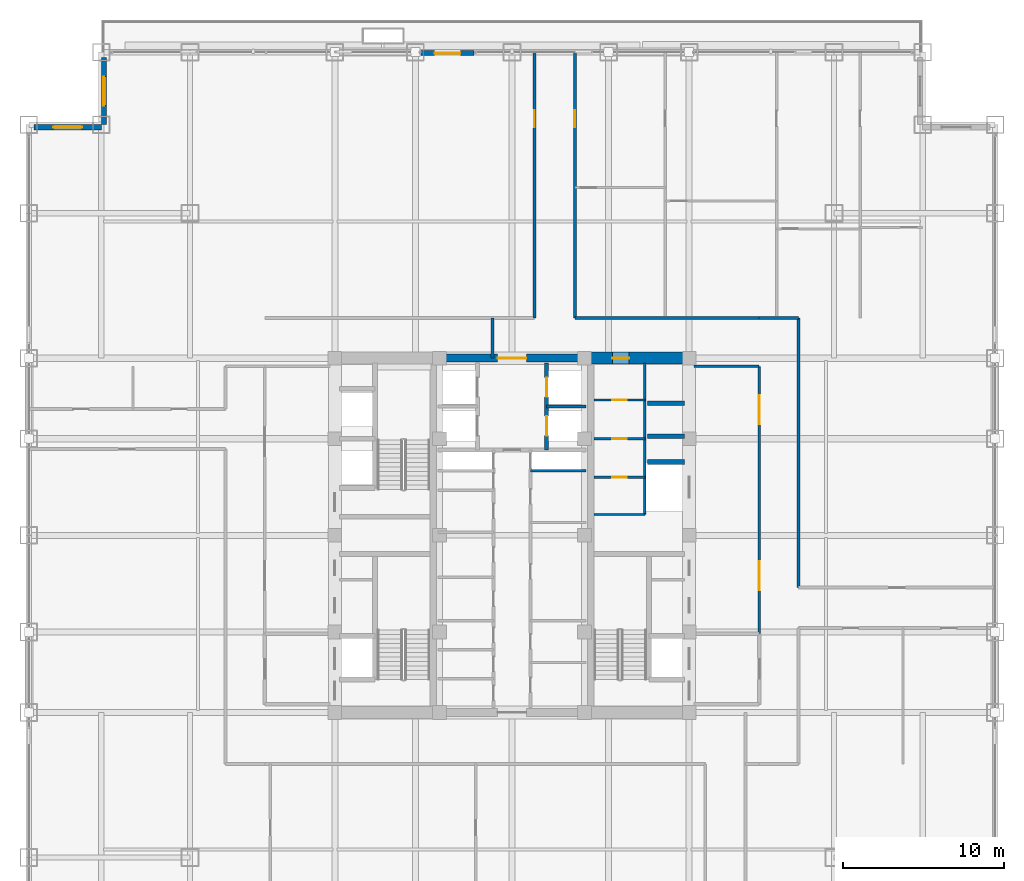
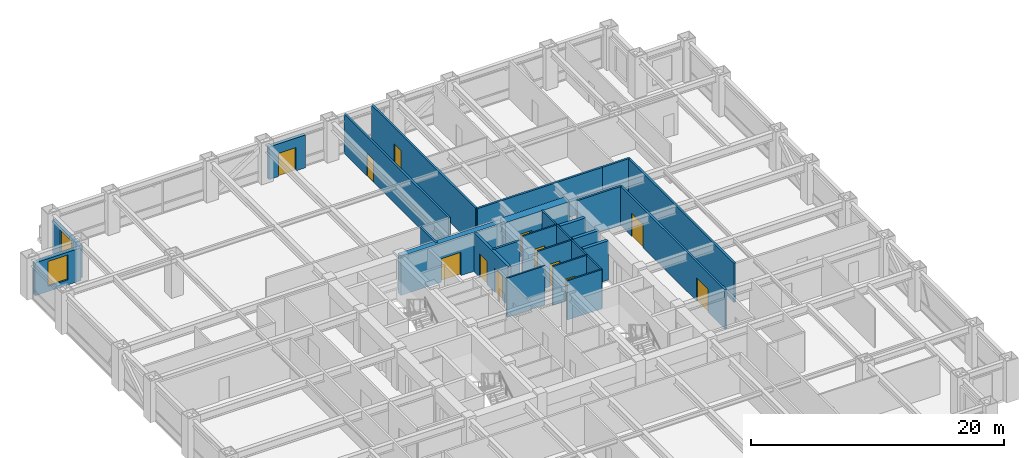
# One storey, part 29 of 35: 24 walls, 12 doors, 2 windows, 14 openings.
"""IFC4 building model written with IfcOpenShell, lengths in metres."""

from ifc_helpers import new_model, si_unit, direction, frame, frame_2d, origin, place, context, subcontext, project, spatial, rectangle, extrude, source, transform, mapped, material, layer, layer_set, type_object, element, fill, save


model = new_model("IFC4")

# Units and contexts
model_context = context("Model", 3, precision=1e-05, world=origin(), true_north=direction((0.0, 1.0)))
body_context = subcontext(model_context, "Body", "Model", "MODEL_VIEW")
ifc_project = project(units=[si_unit("LENGTHUNIT", "METRE"), si_unit("AREAUNIT", "SQUARE_METRE"), si_unit("VOLUMEUNIT", "CUBIC_METRE"), si_unit("PLANEANGLEUNIT", "RADIAN"), si_unit("MASSUNIT", "GRAM", prefix="KILO")], contexts=[model_context])

# Site, building, storey
site_placement = place(None, origin())
site = spatial("IfcSite", under=ifc_project, at=site_placement, CompositionType="ELEMENT")
building_placement = place(site_placement, origin())
building = spatial("IfcBuilding", under=site, at=building_placement, Name="Khorayat Bourse Tower", CompositionType="ELEMENT")
storey_placement = place(building_placement, frame((0.0, 0.0, 155.10009765625)))
storey = spatial("IfcBuildingStorey", under=building, at=storey_placement, Name="L35", CompositionType="ELEMENT", Elevation=155.10009765625)

# Wall, opening, door
ifc_material_1 = material(Name="Concrete C72/90", Category="concrete")
ifc_layer_1 = layer(ifc_material_1, 0.75)
ifc_layer_set_1 = layer_set([ifc_layer_1], Name="Concrete C72/90")
wall_type_1 = type_object("IfcWallType", Name="WAL-CORE-750", PredefinedType="SHEAR", material=ifc_layer_set_1)
shared_shape_1 = source(origin(), body_context, "Body", "SweptSolid", [
    extrude(rectangle(XDim=5.849853515625, YDim=0.75, at=frame_2d((2.9248046875, 0.0))), origin(), (0.0, 0.0, 1.0), 3.77978515625),
])
wall_1_placement = place(storey_placement, frame((4.85009765625, 11.0, 0.0), z_axis=(0.0, 0.0, 1.0), x_axis=(1.0, 0.0, 0.0)))
wall_1 = element("IfcWall", 1, at=wall_1_placement, inside=storey, type_object=wall_type_1, Name="L35 Core Shear Wall PIER-EN", PredefinedType="SHEAR", context=body_context, shape_type="MappedRepresentation", body=[
    mapped(shared_shape_1, transform((0.0, 0.0, 0.0), scale=1.0)),
])
shared_shape_2 = source(origin(), body_context, "Body", "SweptSolid", [
    extrude(rectangle(XDim=1.050048828125, YDim=2.199951171875, at=frame_2d((0.52490234375, 1.10009765625))), frame((0.0, 0.385009765625, 0.0), z_axis=(0.0, -1.0, 0.0), x_axis=(1.0, 0.0, 0.0)), (0.0, 0.0, 1.0), 0.77001953125),
])
opening_1_placement = place(wall_1_placement, frame((1.375, 0.0, 0.0)))
opening_1 = element("IfcOpeningElement", 2, at=opening_1_placement, cuts=wall_1, Name="Opening DI-04", PredefinedType="OPENING", context=body_context, shape_type="MappedRepresentation", body=[
    mapped(shared_shape_2, transform((0.0, 0.0, 0.0), scale=1.0)),
])
ifc_material_2 = material(Name="Fire-rated oak veneer suite entrance door")
door_type_1 = type_object("IfcDoorType", Name="DR-INT-SUITE-1050", OperationType="NOTDEFINED", PredefinedType="DOOR", material=ifc_material_2)
shared_shape_3 = source(origin(), body_context, "Body", "SweptSolid", [
    extrude(rectangle(XDim=1.050048828125, YDim=2.199951171875, at=frame_2d((0.52490234375, 1.10009765625))), frame((0.0, 0.02490234375, 0.0), z_axis=(0.0, -1.0, 0.0), x_axis=(1.0, 0.0, 0.0)), (0.0, 0.0, 1.0), 0.050048828125),
])
door_1_placement = place(opening_1_placement, origin())
door_1 = element("IfcDoor", 3, at=door_1_placement, inside=storey, type_object=door_type_1, Name="L35 Core Washroom Lobby Door", OperationType="SINGLE_SWING_LEFT", OverallHeight=2.199951171875, OverallWidth=1.050048828125, PredefinedType="DOOR", context=body_context, shape_type="MappedRepresentation", body=[
    mapped(shared_shape_3, transform((0.0, 0.0, 0.0), scale=1.0)),
])
fill(opening_1, door_1)

ifc_material_3 = material(Name="Concrete C52/65", Category="concrete")
ifc_layer_2 = layer(ifc_material_3, 0.5)
ifc_layer_set_2 = layer_set([ifc_layer_2], Name="Concrete C52/65")
wall_type_2 = type_object("IfcWallType", Name="WAL-CORE-500", PredefinedType="SHEAR", material=ifc_layer_set_2)
shared_shape_4 = source(origin(), body_context, "Body", "SweptSolid", [
    extrude(rectangle(XDim=9.2001953125, YDim=0.5, at=frame_2d((4.60009765625, 0.0))), origin(), (0.0, 0.0, 1.0), 3.77978515625),
])
wall_2_placement = place(storey_placement, frame((-4.60009765625, 11.0, 0.0), z_axis=(0.0, 0.0, 1.0), x_axis=(1.0, 0.0, 0.0)))
wall_2 = element("IfcWall", 4, at=wall_2_placement, inside=storey, type_object=wall_type_2, Name="L35 Core Shear Wall CORE-N", PredefinedType="SHEAR", context=body_context, shape_type="MappedRepresentation", body=[
    mapped(shared_shape_4, transform((0.0, 0.0, 0.0), scale=1.0)),
])
shared_shape_5 = source(origin(), body_context, "Body", "SweptSolid", [
    extrude(rectangle(XDim=1.800048828125, YDim=2.25, at=frame_2d((0.89990234375, 1.125))), frame((0.0, 0.260009765625, 0.0), z_axis=(0.0, -1.0, 0.0), x_axis=(1.0, 0.0, 0.0)), (0.0, 0.0, 1.0), 0.52001953125),
])
opening_2_placement = place(wall_2_placement, frame((3.699951171875, 0.0, 0.0)))
opening_2 = element("IfcOpeningElement", 5, at=opening_2_placement, cuts=wall_2, Name="Opening DI-03", PredefinedType="OPENING", context=body_context, shape_type="MappedRepresentation", body=[
    mapped(shared_shape_5, transform((0.0, 0.0, 0.0), scale=1.0)),
])
ifc_material_4 = material(Name="Fire-rated hardwood vision-panel double leaf", Category="wood")
door_type_2 = type_object("IfcDoorType", Name="DR-INT-CORR-1800", OperationType="NOTDEFINED", PredefinedType="DOOR", material=ifc_material_4)
shared_shape_6 = source(origin(), body_context, "Body", "SweptSolid", [
    extrude(rectangle(XDim=1.800048828125, YDim=2.25, at=frame_2d((0.89990234375, 1.125))), frame((0.0, 0.02490234375, 0.0), z_axis=(0.0, -1.0, 0.0), x_axis=(1.0, 0.0, 0.0)), (0.0, 0.0, 1.0), 0.050048828125),
])
door_2_placement = place(opening_2_placement, origin())
door_2 = element("IfcDoor", 6, at=door_2_placement, inside=storey, type_object=door_type_2, Name="L35 Mid-Rise Lift Lobby Door", OperationType="SINGLE_SWING_RIGHT", OverallHeight=2.25, OverallWidth=1.800048828125, PredefinedType="DOOR", context=body_context, shape_type="MappedRepresentation", body=[
    mapped(shared_shape_6, transform((0.0, 0.0, 0.0), scale=1.0)),
])
fill(opening_2, door_2)

# Wall, opening, window
ifc_material_5 = material(Name="Precast concrete C45/55", Category="concrete")
ifc_layer_3 = layer(ifc_material_5, 0.320068359375)
ifc_layer_set_3 = layer_set([ifc_layer_3], Name="Precast concrete C45/55")
wall_type_3 = type_object("IfcWallType", Name="WAL-EXT-STONE-320", PredefinedType="STANDARD", material=ifc_layer_set_3)
shared_shape_7 = source(origin(), body_context, "Body", "SweptSolid", [
    extrude(rectangle(XDim=4.179931640625, YDim=0.320068359375, at=frame_2d((2.08984375, 0.0))), origin(), (0.0, 0.0, 1.0), 3.163818359375),
])
wall_3_placement = place(storey_placement, frame((-25.340087890625, 25.5, 0.0), z_axis=(0.0, 0.0, 1.0), x_axis=(0.0, 1.0, 0.0)))
wall_3 = element("IfcWall", 7, at=wall_3_placement, inside=storey, type_object=wall_type_3, Name="L35 Re-Entrant Notch Limestone Wall NW-V", PredefinedType="STANDARD", context=body_context, shape_type="MappedRepresentation", body=[
    mapped(shared_shape_7, transform((0.0, 0.0, 0.0), scale=1.0)),
])
shared_shape_8 = source(origin(), body_context, "Body", "SweptSolid", [
    extrude(rectangle(XDim=1.800048828125, YDim=2.39990234375, at=frame_2d((0.89990234375, 1.199951171875))), frame((0.0, 0.169921875, 0.0), z_axis=(0.0, -1.0, 0.0), x_axis=(1.0, 0.0, 0.0)), (0.0, 0.0, 1.0), 0.340087890625),
])
opening_3_placement = place(wall_3_placement, frame((1.18994140625, 0.0, 0.5)))
opening_3 = element("IfcOpeningElement", 8, at=opening_3_placement, cuts=wall_3, Name="Opening WN-04", PredefinedType="OPENING", context=body_context, shape_type="MappedRepresentation", body=[
    mapped(shared_shape_8, transform((0.0, 0.0, 0.0), scale=1.0)),
])
ifc_material_6 = material(Name="Low-E acoustic laminated double glazing", Category="glass")
window_type = type_object("IfcWindowType", Name="WIN-NOTCH-1800x2400", PartitioningType="SINGLE_PANEL", PredefinedType="WINDOW", material=ifc_material_6)
shared_shape_9 = source(origin(), body_context, "Body", "SweptSolid", [
    extrude(rectangle(XDim=1.800048828125, YDim=2.39990234375, at=frame_2d((0.89990234375, 1.199951171875))), frame((0.0, 0.030029296875, 0.0), z_axis=(0.0, -1.0, 0.0), x_axis=(1.0, 0.0, 0.0)), (0.0, 0.0, 1.0), 0.06005859375),
])
window_1_placement = place(opening_3_placement, origin())
window_1 = element("IfcWindow", 9, at=window_1_placement, inside=storey, type_object=window_type, Name="L35 Facade Window 1", OverallHeight=2.39990234375, OverallWidth=1.800048828125, PartitioningType="SINGLE_PANEL", PredefinedType="WINDOW", context=body_context, shape_type="MappedRepresentation", body=[
    mapped(shared_shape_9, transform((0.0, 0.0, 0.0), scale=1.0)),
])
fill(opening_3, window_1)

wall_4_placement = place(storey_placement, frame((-25.5, 25.340087890625, 0.0), z_axis=(0.0, 0.0, 1.0), x_axis=(-1.0, 0.0, 0.0)))
wall_4 = element("IfcWall", 10, at=wall_4_placement, inside=storey, type_object=wall_type_3, Name="L35 Re-Entrant Notch Limestone Wall NW-H", PredefinedType="STANDARD", context=body_context, shape_type="MappedRepresentation", body=[
    mapped(shared_shape_7, transform((0.0, 0.0, 0.0), scale=1.0)),
])
opening_4_placement = place(wall_4_placement, frame((1.18994140625, 0.0, 0.5)))
opening_4 = element("IfcOpeningElement", 11, at=opening_4_placement, cuts=wall_4, Name="Opening WN-04", PredefinedType="OPENING", context=body_context, shape_type="MappedRepresentation", body=[
    mapped(shared_shape_8, transform((0.0, 0.0, 0.0), scale=1.0)),
])
window_2_placement = place(opening_4_placement, origin())
window_2 = element("IfcWindow", 12, at=window_2_placement, inside=storey, type_object=window_type, Name="L35 Facade Window 1", OverallHeight=2.39990234375, OverallWidth=1.800048828125, PartitioningType="SINGLE_PANEL", PredefinedType="WINDOW", context=body_context, shape_type="MappedRepresentation", body=[
    mapped(shared_shape_9, transform((0.0, 0.0, 0.0), scale=1.0)),
])
fill(opening_4, window_2)

# Wall, opening, door
shared_shape_10 = source(origin(), body_context, "Body", "SweptSolid", [
    extrude(rectangle(XDim=3.2998046875, YDim=0.320068359375, at=frame_2d((1.64990234375, 0.0))), origin(), (0.0, 0.0, 1.0), 3.163818359375),
])
wall_5_placement = place(storey_placement, frame((-5.64990234375, 29.9423828125, 0.0), z_axis=(0.0, 0.0, 1.0), x_axis=(1.0, 0.0, 0.0)))
wall_5 = element("IfcWall", 13, at=wall_5_placement, inside=storey, type_object=wall_type_3, Name="L35 Exterior Limestone Wall WAL-L35-TDPORT-N1", PredefinedType="STANDARD", context=body_context, shape_type="MappedRepresentation", body=[
    mapped(shared_shape_10, transform((0.0, 0.0, 0.0), scale=1.0)),
])
shared_shape_11 = source(origin(), body_context, "Body", "SweptSolid", [
    extrude(rectangle(XDim=1.60009765625, YDim=2.25, at=frame_2d((0.800048828125, 1.125))), frame((0.0, 0.169921875, 0.0), z_axis=(0.0, -1.0, 0.0), x_axis=(1.0, 0.0, 0.0)), (0.0, 0.0, 1.0), 0.340087890625),
])
opening_5_placement = place(wall_5_placement, frame((0.85009765625, 0.0, 0.0)))
opening_5 = element("IfcOpeningElement", 14, at=opening_5_placement, cuts=wall_5, Name="Opening DE-04", PredefinedType="OPENING", context=body_context, shape_type="MappedRepresentation", body=[
    mapped(shared_shape_11, transform((0.0, 0.0, 0.0), scale=1.0)),
])
ifc_material_7 = material(Name="Thermally broken aluminium terrace double door", Category="aluminium")
door_type_3 = type_object("IfcDoorType", Name="DR-EXT-TERR-1600", OperationType="NOTDEFINED", PredefinedType="DOOR", material=ifc_material_7)
shared_shape_12 = source(origin(), body_context, "Body", "SweptSolid", [
    extrude(rectangle(XDim=1.60009765625, YDim=2.25, at=frame_2d((0.800048828125, 1.125))), frame((0.0, 0.02490234375, 0.0), z_axis=(0.0, -1.0, 0.0), x_axis=(1.0, 0.0, 0.0)), (0.0, 0.0, 1.0), 0.050048828125),
])
door_3_placement = place(opening_5_placement, origin())
door_3 = element("IfcDoor", 15, at=door_3_placement, inside=storey, type_object=door_type_3, Name="L35 North Setback Terrace Door", OperationType="DOUBLE_DOOR_SINGLE_SWING", OverallHeight=2.25, OverallWidth=1.60009765625, PredefinedType="DOOR", context=body_context, shape_type="MappedRepresentation", body=[
    mapped(shared_shape_12, transform((0.0, 0.0, 0.0), scale=1.0)),
])
fill(opening_5, door_3)

# Walls
ifc_material_8 = material(Name="Concrete C50/60", Category="concrete")
ifc_layer_4 = layer(ifc_material_8, 0.300048828125)
ifc_layer_set_4 = layer_set([ifc_layer_4], Name="Concrete C50/60")
wall_type_4 = type_object("IfcWallType", Name="WAL-SHAFT-300", PredefinedType="SHEAR", material=ifc_layer_set_4)
shared_shape_13 = source(origin(), body_context, "Body", "SweptSolid", [
    extrude(rectangle(XDim=2.300048828125, YDim=0.300048828125, at=frame_2d((1.14990234375, 0.0))), origin(), (0.0, 0.0, 1.0), 3.77978515625),
])
for number, where, z_axis, x_axis, name in (
    (16, (8.39990234375, 4.550048828125, 0.0), (0.0, 0.0, 1.0), (1.0, 0.0, 0.0), "L35 Partition WAL-L35-EPIER-SVLN"),
    (17, (8.39990234375, 6.14990234375, 0.0), (0.0, 0.0, 1.0), (1.0, 0.0, 0.0), "L35 Partition WAL-L35-EPIER-H3S"),
    (18, (8.39990234375, 8.199951171875, 0.0), (0.0, 0.0, 1.0), (1.0, 0.0, 0.0), "L35 Partition WAL-L35-EPIER-H34"),
):
    element("IfcWall", number, at=place(storey_placement, frame(where, z_axis=z_axis, x_axis=x_axis)), inside=storey, type_object=wall_type_4, Name=name, PredefinedType="SHEAR", context=body_context, shape_type="MappedRepresentation", body=[
        mapped(shared_shape_13, transform((0.0, 0.0, 0.0), scale=1.0)),
    ])
ifc_material_9 = material(Name="Moisture-resistant masonry partition", Category="masonry")
ifc_layer_5 = layer(ifc_material_9, 0.139892578125)
ifc_layer_set_5 = layer_set([ifc_layer_5], Name="Moisture-resistant masonry partition")
wall_type_5 = type_object("IfcWallType", Name="WAL-PART-WET-140", PredefinedType="PARTITIONING", material=ifc_layer_set_5)
shared_shape_14 = source(origin(), body_context, "Body", "SweptSolid", [
    extrude(rectangle(XDim=9.39990234375, YDim=0.139892578125, at=frame_2d((4.699951171875, 0.0))), origin(), (0.0, 0.0, 1.0), 3.77978515625),
])
wall_6_placement = place(storey_placement, frame((8.25, 1.300048828125, 0.0), z_axis=(0.0, 0.0, 1.0), x_axis=(0.0, 1.0, 0.0)))
element("IfcWall", 19, at=wall_6_placement, inside=storey, type_object=wall_type_5, Name="L35 Partition WAL-L35-ECORE-E", PredefinedType="PARTITIONING", context=body_context, shape_type="MappedRepresentation", body=[
    mapped(shared_shape_14, transform((0.0, 0.0, 0.0), scale=1.0)),
])
shared_shape_15 = source(origin(), body_context, "Body", "SweptSolid", [
    extrude(rectangle(XDim=3.14990234375, YDim=0.139892578125, at=frame_2d((1.574951171875, 0.0))), origin(), (0.0, 0.0, 1.0), 3.77978515625),
])
wall_7_placement = place(storey_placement, frame((5.10009765625, 1.300048828125, 0.0), z_axis=(0.0, 0.0, 1.0), x_axis=(1.0, 0.0, 0.0)))
element("IfcWall", 20, at=wall_7_placement, inside=storey, type_object=wall_type_5, Name="L35 Partition WAL-L35-ECORE-S", PredefinedType="PARTITIONING", context=body_context, shape_type="MappedRepresentation", body=[
    mapped(shared_shape_15, transform((0.0, 0.0, 0.0), scale=1.0)),
])

# Wall, opening, door
wall_8_placement = place(storey_placement, frame((5.10009765625, 8.39990234375, 0.0), z_axis=(0.0, 0.0, 1.0), x_axis=(1.0, 0.0, 0.0)))
wall_8 = element("IfcWall", 21, at=wall_8_placement, inside=storey, type_object=wall_type_5, Name="L35 Partition WAL-L35-ECW-TOP", PredefinedType="PARTITIONING", context=body_context, shape_type="MappedRepresentation", body=[
    mapped(shared_shape_15, transform((0.0, 0.0, 0.0), scale=1.0)),
])
shared_shape_16 = source(origin(), body_context, "Body", "SweptSolid", [
    extrude(rectangle(XDim=0.89990234375, YDim=2.14990234375, at=frame_2d((0.449951171875, 1.074951171875))), frame((0.0, 0.079833984375, 0.0), z_axis=(0.0, -1.0, 0.0), x_axis=(1.0, 0.0, 0.0)), (0.0, 0.0, 1.0), 0.159912109375),
])
opening_6_placement = place(wall_8_placement, frame((1.1298828125, 0.0, 0.0)))
opening_6 = element("IfcOpeningElement", 22, at=opening_6_placement, cuts=wall_8, Name="Opening DI-06", PredefinedType="OPENING", context=body_context, shape_type="MappedRepresentation", body=[
    mapped(shared_shape_16, transform((0.0, 0.0, 0.0), scale=1.0)),
])
ifc_material_10 = material(Name="Moisture-resistant laminate washroom door")
door_type_4 = type_object("IfcDoorType", Name="DR-INT-WC-900", OperationType="NOTDEFINED", PredefinedType="DOOR", material=ifc_material_10)
shared_shape_17 = source(origin(), body_context, "Body", "SweptSolid", [
    extrude(rectangle(XDim=0.89990234375, YDim=2.14990234375, at=frame_2d((0.449951171875, 1.074951171875))), frame((0.0, 0.02490234375, 0.0), z_axis=(0.0, -1.0, 0.0), x_axis=(1.0, 0.0, 0.0)), (0.0, 0.0, 1.0), 0.050048828125),
])
door_4_placement = place(opening_6_placement, origin())
door_4 = element("IfcDoor", 23, at=door_4_placement, inside=storey, type_object=door_type_4, Name="L35 Accessible WC Door", OperationType="SINGLE_SWING_LEFT", OverallHeight=2.14990234375, OverallWidth=0.89990234375, PredefinedType="DOOR", context=body_context, shape_type="MappedRepresentation", body=[
    mapped(shared_shape_17, transform((0.0, 0.0, 0.0), scale=1.0)),
])
fill(opening_6, door_4)

wall_9_placement = place(storey_placement, frame((5.10009765625, 6.0, 0.0), z_axis=(0.0, 0.0, 1.0), x_axis=(1.0, 0.0, 0.0)))
wall_9 = element("IfcWall", 24, at=wall_9_placement, inside=storey, type_object=wall_type_5, Name="L35 Partition WAL-L35-ECW-H1", PredefinedType="PARTITIONING", context=body_context, shape_type="MappedRepresentation", body=[
    mapped(shared_shape_15, transform((0.0, 0.0, 0.0), scale=1.0)),
])
opening_7_placement = place(wall_9_placement, frame((1.1298828125, 0.0, 0.0)))
opening_7 = element("IfcOpeningElement", 25, at=opening_7_placement, cuts=wall_9, Name="Opening DI-06", PredefinedType="OPENING", context=body_context, shape_type="MappedRepresentation", body=[
    mapped(shared_shape_16, transform((0.0, 0.0, 0.0), scale=1.0)),
])
door_5_placement = place(opening_7_placement, origin())
door_5 = element("IfcDoor", 26, at=door_5_placement, inside=storey, type_object=door_type_4, Name="L35 Shared Washroom Door", OperationType="SINGLE_SWING_RIGHT", OverallHeight=2.14990234375, OverallWidth=0.89990234375, PredefinedType="DOOR", context=body_context, shape_type="MappedRepresentation", body=[
    mapped(shared_shape_17, transform((0.0, 0.0, 0.0), scale=1.0)),
])
fill(opening_7, door_5)

wall_10_placement = place(storey_placement, frame((5.10009765625, 3.60009765625, 0.0), z_axis=(0.0, 0.0, 1.0), x_axis=(1.0, 0.0, 0.0)))
wall_10 = element("IfcWall", 27, at=wall_10_placement, inside=storey, type_object=wall_type_5, Name="L35 Partition WAL-L35-ECW-H2", PredefinedType="PARTITIONING", context=body_context, shape_type="MappedRepresentation", body=[
    mapped(shared_shape_15, transform((0.0, 0.0, 0.0), scale=1.0)),
])
opening_8_placement = place(wall_10_placement, frame((1.1298828125, 0.0, 0.0)))
opening_8 = element("IfcOpeningElement", 28, at=opening_8_placement, cuts=wall_10, Name="Opening DI-06", PredefinedType="OPENING", context=body_context, shape_type="MappedRepresentation", body=[
    mapped(shared_shape_16, transform((0.0, 0.0, 0.0), scale=1.0)),
])
door_6_placement = place(opening_8_placement, origin())
door_6 = element("IfcDoor", 29, at=door_6_placement, inside=storey, type_object=door_type_4, Name="L35 Staff Washroom Door", OperationType="SINGLE_SWING_LEFT", OverallHeight=2.14990234375, OverallWidth=0.89990234375, PredefinedType="DOOR", context=body_context, shape_type="MappedRepresentation", body=[
    mapped(shared_shape_17, transform((0.0, 0.0, 0.0), scale=1.0)),
])
fill(opening_8, door_6)

# Wall
ifc_material_11 = material(Name="Gypsum plasterboard acoustic stud wall")
ifc_layer_6 = layer(ifc_material_11, 0.179931640625)
ifc_layer_set_6 = layer_set([ifc_layer_6], Name="Gypsum plasterboard acoustic stud wall")
wall_type_6 = type_object("IfcWallType", Name="WAL-PART-CORR-180", PredefinedType="PARTITIONING", material=ifc_layer_set_6)
shared_shape_18 = source(origin(), body_context, "Body", "SweptSolid", [
    extrude(rectangle(XDim=4.050048828125, YDim=0.179931640625, at=frame_2d((2.02490234375, 0.0))), origin(), (0.0, 0.0, 1.0), 3.77978515625),
])
wall_11_placement = place(storey_placement, frame((11.300048828125, 10.5, 0.0), z_axis=(0.0, 0.0, 1.0), x_axis=(1.0, 0.0, 0.0)))
element("IfcWall", 30, at=wall_11_placement, inside=storey, type_object=wall_type_6, Name="L35 Partition WAL-L35-ELOB-N", PredefinedType="PARTITIONING", context=body_context, shape_type="MappedRepresentation", body=[
    mapped(shared_shape_18, transform((0.0, 0.0, 0.0), scale=1.0)),
])

# Wall, openings, doors
shared_shape_19 = source(origin(), body_context, "Body", "SweptSolid", [
    extrude(rectangle(XDim=16.60009765625, YDim=0.179931640625, at=frame_2d((8.300048828125, 0.0))), origin(), (0.0, 0.0, 1.0), 3.77978515625),
])
wall_12_placement = place(storey_placement, frame((15.35009765625, -6.10009765625, 0.0), z_axis=(0.0, 0.0, 1.0), x_axis=(0.0, 1.0, 0.0)))
wall_12 = element("IfcWall", 31, at=wall_12_placement, inside=storey, type_object=wall_type_6, Name="L35 Partition WAL-L35-ELOB-E", PredefinedType="PARTITIONING", context=body_context, shape_type="MappedRepresentation", body=[
    mapped(shared_shape_19, transform((0.0, 0.0, 0.0), scale=1.0)),
])
shared_shape_20 = source(origin(), body_context, "Body", "SweptSolid", [
    extrude(rectangle(XDim=1.800048828125, YDim=2.25, at=frame_2d((0.89990234375, 1.125))), frame((0.0, 0.099853515625, 0.0), z_axis=(0.0, -1.0, 0.0), x_axis=(1.0, 0.0, 0.0)), (0.0, 0.0, 1.0), 0.199951171875),
])
opening_9_placement = place(wall_12_placement, frame((2.699951171875, 0.0, 0.0)))
opening_9 = element("IfcOpeningElement", 32, at=opening_9_placement, cuts=wall_12, Name="Opening DI-03", PredefinedType="OPENING", context=body_context, shape_type="MappedRepresentation", body=[
    mapped(shared_shape_20, transform((0.0, 0.0, 0.0), scale=1.0)),
])
opening_10_placement = place(wall_12_placement, frame((13.0, 0.0, 0.0)))
opening_10 = element("IfcOpeningElement", 33, at=opening_10_placement, cuts=wall_12, Name="Opening DI-03", PredefinedType="OPENING", context=body_context, shape_type="MappedRepresentation", body=[
    mapped(shared_shape_20, transform((0.0, 0.0, 0.0), scale=1.0)),
])
door_7_placement = place(opening_9_placement, origin())
door_7 = element("IfcDoor", 34, at=door_7_placement, inside=storey, type_object=door_type_2, Name="L35 East Core Lobby South Door", OperationType="SINGLE_SWING_RIGHT", OverallHeight=2.25, OverallWidth=1.800048828125, PredefinedType="DOOR", context=body_context, shape_type="MappedRepresentation", body=[
    mapped(shared_shape_6, transform((0.0, 0.0, 0.0), scale=1.0)),
])
fill(opening_9, door_7)
door_8_placement = place(opening_10_placement, origin())
door_8 = element("IfcDoor", 35, at=door_8_placement, inside=storey, type_object=door_type_2, Name="L35 East Core Lobby North Door", OperationType="SINGLE_SWING_LEFT", OverallHeight=2.25, OverallWidth=1.800048828125, PredefinedType="DOOR", context=body_context, shape_type="MappedRepresentation", body=[
    mapped(shared_shape_6, transform((0.0, 0.0, 0.0), scale=1.0)),
])
fill(opening_10, door_8)

# Wall
ifc_material_12 = material(Name="Gypsum plasterboard twin-frame partition")
ifc_layer_7 = layer(ifc_material_12, 0.14990234375)
ifc_layer_set_7 = layer_set([ifc_layer_7], Name="Gypsum plasterboard twin-frame partition")
wall_type_7 = type_object("IfcWallType", Name="WAL-PART-SUITE-150", PredefinedType="PARTITIONING", material=ifc_layer_set_7)
shared_shape_21 = source(origin(), body_context, "Body", "SweptSolid", [
    extrude(rectangle(XDim=3.4501953125, YDim=0.14990234375, at=frame_2d((1.72509765625, 0.0))), origin(), (0.0, 0.0, 1.0), 3.77978515625),
])
wall_13_placement = place(storey_placement, frame((1.14990234375, 4.0, 0.0), z_axis=(0.0, 0.0, 1.0), x_axis=(1.0, 0.0, 0.0)))
element("IfcWall", 36, at=wall_13_placement, inside=storey, type_object=wall_type_7, Name="L35 Partition WAL-L35-CRSE-S", PredefinedType="PARTITIONING", context=body_context, shape_type="MappedRepresentation", body=[
    mapped(shared_shape_21, transform((0.0, 0.0, 0.0), scale=1.0)),
])

# Wall, openings, doors
shared_shape_22 = source(origin(), body_context, "Body", "SweptSolid", [
    extrude(rectangle(XDim=5.39990234375, YDim=0.25, at=frame_2d((2.699951171875, 0.0))), origin(), (0.0, 0.0, 1.0), 3.77978515625),
])
wall_14_placement = place(storey_placement, frame((2.14990234375, 5.300048828125, 0.0), z_axis=(0.0, 0.0, 1.0), x_axis=(0.0, 1.0, 0.0)))
wall_14 = element("IfcWall", 37, at=wall_14_placement, inside=storey, type_object=wall_type_4, Name="L35 Partition WAL-L35-B2-E", PredefinedType="SHEAR", context=body_context, shape_type="MappedRepresentation", body=[
    mapped(shared_shape_22, transform((0.0, 0.0, 0.0), scale=1.0)),
])
shared_shape_23 = source(origin(), body_context, "Body", "SweptSolid", [
    extrude(rectangle(XDim=1.199951171875, YDim=2.300048828125, at=frame_2d((0.60009765625, 1.14990234375))), frame((0.0, 0.135009765625, 0.0), z_axis=(0.0, -1.0, 0.0), x_axis=(1.0, 0.0, 0.0)), (0.0, 0.0, 1.0), 0.27001953125),
])
opening_11_placement = place(wall_14_placement, frame((3.300048828125, 0.0, 0.0)))
opening_11 = element("IfcOpeningElement", 38, at=opening_11_placement, cuts=wall_14, Name="Opening LD-01", PredefinedType="OPENING", context=body_context, shape_type="MappedRepresentation", body=[
    mapped(shared_shape_23, transform((0.0, 0.0, 0.0), scale=1.0)),
])
opening_12_placement = place(wall_14_placement, frame((0.89990234375, 0.0, 0.0)))
opening_12 = element("IfcOpeningElement", 39, at=opening_12_placement, cuts=wall_14, Name="Opening LD-01", PredefinedType="OPENING", context=body_context, shape_type="MappedRepresentation", body=[
    mapped(shared_shape_23, transform((0.0, 0.0, 0.0), scale=1.0)),
])
ifc_material_13 = material(Name="Brushed bronze stainless-steel sliding door", Category="steel")
door_type_5 = type_object("IfcDoorType", Name="DR-LIFT-PASS-1200", OperationType="NOTDEFINED", PredefinedType="DOOR", material=ifc_material_13)
shared_shape_24 = source(origin(), body_context, "Body", "SweptSolid", [
    extrude(rectangle(XDim=1.199951171875, YDim=2.300048828125, at=frame_2d((0.60009765625, 1.14990234375))), frame((0.0, 0.02490234375, 0.0), z_axis=(0.0, -1.0, 0.0), x_axis=(1.0, 0.0, 0.0)), (0.0, 0.0, 1.0), 0.050048828125),
])
door_9_placement = place(opening_11_placement, origin())
door_9 = element("IfcDoor", 40, at=door_9_placement, inside=storey, type_object=door_type_5, Name="L35 Lift PL-M2 Sliding Landing Door", OperationType="SLIDING_TO_LEFT", OverallHeight=2.300048828125, OverallWidth=1.199951171875, PredefinedType="DOOR", context=body_context, shape_type="MappedRepresentation", body=[
    mapped(shared_shape_24, transform((0.0, 0.0, 0.0), scale=1.0)),
])
fill(opening_11, door_9)
door_10_placement = place(opening_12_placement, origin())
door_10 = element("IfcDoor", 41, at=door_10_placement, inside=storey, type_object=door_type_5, Name="L35 Lift PL-M4 Sliding Landing Door", OperationType="SLIDING_TO_LEFT", OverallHeight=2.300048828125, OverallWidth=1.199951171875, PredefinedType="DOOR", context=body_context, shape_type="MappedRepresentation", body=[
    mapped(shared_shape_24, transform((0.0, 0.0, 0.0), scale=1.0)),
])
fill(opening_12, door_10)

# Walls
shared_shape_25 = source(origin(), body_context, "Body", "SweptSolid", [
    extrude(rectangle(XDim=2.4501953125, YDim=0.199951171875, at=frame_2d((1.22509765625, 0.0))), origin(), (0.0, 0.0, 1.0), 3.77978515625),
])
wall_15_placement = place(storey_placement, frame((2.14990234375, 8.0, 0.0), z_axis=(0.0, 0.0, 1.0), x_axis=(1.0, 0.0, 0.0)))
element("IfcWall", 42, at=wall_15_placement, inside=storey, type_object=wall_type_4, Name="L35 Partition WAL-L35-B2-ME", PredefinedType="SHEAR", context=body_context, shape_type="MappedRepresentation", body=[
    mapped(shared_shape_25, transform((0.0, 0.0, 0.0), scale=1.0)),
])
shared_shape_26 = source(origin(), body_context, "Body", "SweptSolid", [
    extrude(rectangle(XDim=2.449951171875, YDim=0.179931640625, at=frame_2d((1.22509765625, 0.0))), origin(), (0.0, 0.0, 1.0), 3.77978515625),
])
wall_16_placement = place(storey_placement, frame((15.35009765625, 13.5, 0.0), z_axis=(0.0, 0.0, 1.0), x_axis=(1.0, 0.0, 0.0)))
element("IfcWall", 43, at=wall_16_placement, inside=storey, type_object=wall_type_6, Name="L35 Partition WAL-L35-C2-EN", PredefinedType="PARTITIONING", context=body_context, shape_type="MappedRepresentation", body=[
    mapped(shared_shape_26, transform((0.0, 0.0, 0.0), scale=1.0)),
])
shared_shape_27 = source(origin(), body_context, "Body", "SweptSolid", [
    extrude(rectangle(XDim=2.5, YDim=0.179931640625, at=frame_2d((1.25, 0.0))), origin(), (0.0, 0.0, 1.0), 3.77978515625),
])
wall_17_placement = place(storey_placement, frame((-1.199951171875, 11.0, 0.0), z_axis=(0.0, 0.0, 1.0), x_axis=(0.0, 1.0, 0.0)))
element("IfcWall", 44, at=wall_17_placement, inside=storey, type_object=wall_type_6, Name="L35 Partition WAL-L35-C2-NCW", PredefinedType="PARTITIONING", context=body_context, shape_type="MappedRepresentation", body=[
    mapped(shared_shape_27, transform((0.0, 0.0, 0.0), scale=1.0)),
])

# Wall, opening, door
shared_shape_28 = source(origin(), body_context, "Body", "SweptSolid", [
    extrude(rectangle(XDim=16.5, YDim=0.179931640625, at=frame_2d((8.25, 0.0))), origin(), (0.0, 0.0, 1.0), 3.77978515625),
])
wall_18_placement = place(storey_placement, frame((1.39990234375, 13.5, 0.0), z_axis=(0.0, 0.0, 1.0), x_axis=(0.0, 1.0, 0.0)))
wall_18 = element("IfcWall", 45, at=wall_18_placement, inside=storey, type_object=wall_type_6, Name="L35 Partition WAL-L35-QNW-SPK", PredefinedType="PARTITIONING", context=body_context, shape_type="MappedRepresentation", body=[
    mapped(shared_shape_28, transform((0.0, 0.0, 0.0), scale=1.0)),
])
shared_shape_29 = source(origin(), body_context, "Body", "SweptSolid", [
    extrude(rectangle(XDim=1.050048828125, YDim=2.199951171875, at=frame_2d((0.52490234375, 1.10009765625))), frame((0.0, 0.099853515625, 0.0), z_axis=(0.0, -1.0, 0.0), x_axis=(1.0, 0.0, 0.0)), (0.0, 0.0, 1.0), 0.199951171875),
])
opening_13_placement = place(wall_18_placement, frame((11.85009765625, 0.0, 0.0)))
opening_13 = element("IfcOpeningElement", 46, at=opening_13_placement, cuts=wall_18, Name="Opening DI-04", PredefinedType="OPENING", context=body_context, shape_type="MappedRepresentation", body=[
    mapped(shared_shape_29, transform((0.0, 0.0, 0.0), scale=1.0)),
])
door_11_placement = place(opening_13_placement, origin())
door_11 = element("IfcDoor", 47, at=door_11_placement, inside=storey, type_object=door_type_1, Name="L35 North-West Radial Spoke Entry", OperationType="SINGLE_SWING_LEFT", OverallHeight=2.199951171875, OverallWidth=1.050048828125, PredefinedType="DOOR", context=body_context, shape_type="MappedRepresentation", body=[
    mapped(shared_shape_3, transform((0.0, 0.0, 0.0), scale=1.0)),
])
fill(opening_13, door_11)

wall_19_placement = place(storey_placement, frame((3.89990234375, 13.5, 0.0), z_axis=(0.0, 0.0, 1.0), x_axis=(0.0, 1.0, 0.0)))
wall_19 = element("IfcWall", 48, at=wall_19_placement, inside=storey, type_object=wall_type_6, Name="L35 Partition WAL-L35-QNE-SPK", PredefinedType="PARTITIONING", context=body_context, shape_type="MappedRepresentation", body=[
    mapped(shared_shape_28, transform((0.0, 0.0, 0.0), scale=1.0)),
])
opening_14_placement = place(wall_19_placement, frame((11.85009765625, 0.0, 0.0)))
opening_14 = element("IfcOpeningElement", 49, at=opening_14_placement, cuts=wall_19, Name="Opening DI-04", PredefinedType="OPENING", context=body_context, shape_type="MappedRepresentation", body=[
    mapped(shared_shape_29, transform((0.0, 0.0, 0.0), scale=1.0)),
])
door_12_placement = place(opening_14_placement, origin())
door_12 = element("IfcDoor", 50, at=door_12_placement, inside=storey, type_object=door_type_1, Name="L35 North-East Radial Spoke Entry", OperationType="SINGLE_SWING_LEFT", OverallHeight=2.199951171875, OverallWidth=1.050048828125, PredefinedType="DOOR", context=body_context, shape_type="MappedRepresentation", body=[
    mapped(shared_shape_3, transform((0.0, 0.0, 0.0), scale=1.0)),
])
fill(opening_14, door_12)

# Walls
shared_shape_30 = source(origin(), body_context, "Body", "SweptSolid", [
    extrude(rectangle(XDim=16.75, YDim=0.179931640625, at=frame_2d((8.375, 0.0))), origin(), (0.0, 0.0, 1.0), 3.77978515625),
])
wall_20_placement = place(storey_placement, frame((17.800048828125, -3.25, 0.0), z_axis=(0.0, 0.0, 1.0), x_axis=(0.0, 1.0, 0.0)))
element("IfcWall", 51, at=wall_20_placement, inside=storey, type_object=wall_type_6, Name="L35 Partition WAL-L35-EN-IN", PredefinedType="PARTITIONING", context=body_context, shape_type="MappedRepresentation", body=[
    mapped(shared_shape_30, transform((0.0, 0.0, 0.0), scale=1.0)),
])
shared_shape_31 = source(origin(), body_context, "Body", "SweptSolid", [
    extrude(rectangle(XDim=11.4501953125, YDim=0.179931640625, at=frame_2d((5.72509765625, 0.0))), origin(), (0.0, 0.0, 1.0), 3.77978515625),
])
wall_21_placement = place(storey_placement, frame((3.89990234375, 13.5, 0.0), z_axis=(0.0, 0.0, 1.0), x_axis=(1.0, 0.0, 0.0)))
element("IfcWall", 52, at=wall_21_placement, inside=storey, type_object=wall_type_6, Name="L35 Partition WAL-L35-QNE-HC", PredefinedType="PARTITIONING", context=body_context, shape_type="MappedRepresentation", body=[
    mapped(shared_shape_31, transform((0.0, 0.0, 0.0), scale=1.0)),
])

save(model, "model.ifc")
